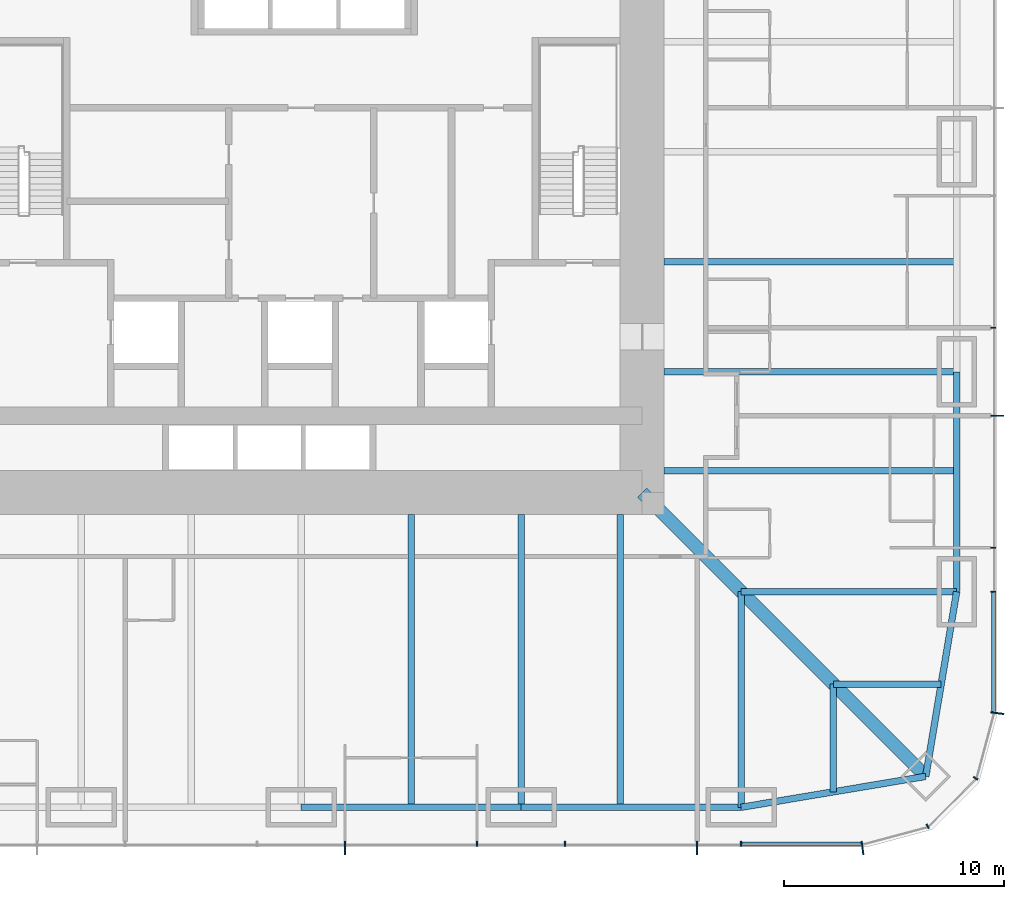
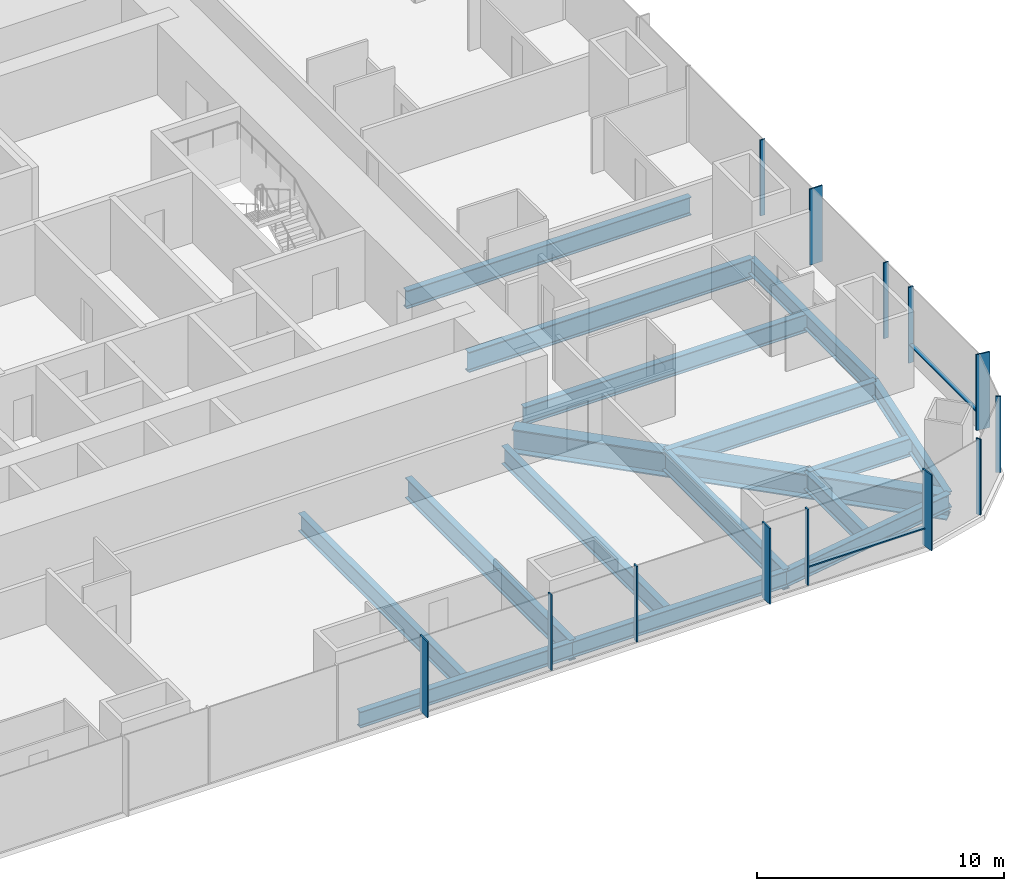
# One storey, part 4 of 17: 16 beams, 15 members, 3 elements without a shape of their own.
"""IFC4 building model written with IfcOpenShell, lengths in metres."""

from ifc_helpers import new_model, si_unit, direction, frame, origin, origin_2d, place, context, subcontext, project, spatial, rectangle, i_section, extrude, material, material_profile, profile_set, type_object, element, aggregate, save


model = new_model("IFC4")

# Units and contexts
model_context = context("Model", 3, precision=1e-05, world=origin(), true_north=direction((0.0, 1.0)))
body_context = subcontext(model_context, "Body", "Model", "MODEL_VIEW")
ifc_project = project(units=[si_unit("LENGTHUNIT", "METRE"), si_unit("AREAUNIT", "SQUARE_METRE"), si_unit("VOLUMEUNIT", "CUBIC_METRE"), si_unit("PLANEANGLEUNIT", "RADIAN"), si_unit("MASSUNIT", "GRAM", prefix="KILO")], contexts=[model_context])

# Site, building, storey
site_placement = place(None, origin())
site = spatial("IfcSite", under=ifc_project, at=site_placement, CompositionType="ELEMENT")
building_placement = place(site_placement, origin())
building = spatial("IfcBuilding", under=site, at=building_placement, Name="Khuree Lantern Residences", CompositionType="ELEMENT")
storey_placement = place(building_placement, frame((0.0, 0.0, 51.0)))
storey = spatial("IfcBuildingStorey", under=building, at=storey_placement, Name="L12", CompositionType="ELEMENT", Elevation=51.0)

# Beams
ifc_material_1 = material(Name="Steel S355", Category="steel")
ifc_material_profile_1 = material_profile(ifc_material_1, i_section(OverallWidth=0.300048828125, OverallDepth=0.889892578125, WebThickness=0.01611328125, FlangeThickness=0.030029296875, FilletRadius=0.030029296875, at=origin_2d()), Name="HE 900 A")
ifc_profile_set_1 = profile_set([ifc_material_profile_1], Name="Steel S355")
beam_type_1 = type_object("IfcBeamType", Name="B-13 SECONDARY BEAM HE 900 A", PredefinedType="BEAM", material=ifc_profile_set_1)
for number, where, z_axis, x_axis, name in (
    (1, (29.800048828125, -5.0, -0.695068359375), (-1.0, 0.0, 0.0), (0.0, -1.0, 0.0), "Secondary beam E4"),
    (2, (29.800048828125, -14.5, -0.695068359375), (-1.0, 0.0, 0.0), (0.0, -1.0, 0.0), "Secondary beam E5"),
):
    element("IfcBeam", number, at=place(storey_placement, frame(where, z_axis=z_axis, x_axis=x_axis)), inside=storey, type_object=beam_type_1, Name=name, PredefinedType="BEAM", context=body_context, shape_type="SweptSolid", body=[
        extrude(i_section(OverallWidth=0.300048828125, OverallDepth=0.889892578125, WebThickness=0.01611328125, FlangeThickness=0.030029296875, FilletRadius=0.030029296875, at=origin_2d()), origin(), (0.0, 0.0, 1.0), 13.300048828125),
    ])
for number, where, z_axis, x_axis, name in (
    (3, (29.09716796875, -24.197021484375, -0.695068359375), (-1.0, 0.0, 0.0), (0.0, -1.0, 0.0), "Secondary beam E6"),
    (4, (24.197021484375, -29.09716796875, -0.695068359375), (0.0, 1.0, 0.0), (-1.0, 0.0, 0.0), "Secondary beam S1"),
):
    element("IfcBeam", number, at=place(storey_placement, frame(where, z_axis=z_axis, x_axis=x_axis)), inside=storey, type_object=beam_type_1, Name=name, PredefinedType="BEAM", context=body_context, shape_type="SweptSolid", body=[
        extrude(i_section(OverallWidth=0.300048828125, OverallDepth=0.889892578125, WebThickness=0.01611328125, FlangeThickness=0.030029296875, FilletRadius=0.030029296875, at=origin_2d()), origin(), (0.0, 0.0, 1.0), 4.900146484375),
    ])
for number, where, z_axis, x_axis, name in (
    (5, (14.5, -29.800048828125, -0.695068359375), (0.0, 1.0, 0.0), (-1.0, 0.0, 0.0), "Secondary beam S2"),
    (6, (5.0, -29.800048828125, -0.695068359375), (0.0, 1.0, 0.0), (-1.0, 0.0, 0.0), "Secondary beam S3"),
):
    element("IfcBeam", number, at=place(storey_placement, frame(where, z_axis=z_axis, x_axis=x_axis)), inside=storey, type_object=beam_type_1, Name=name, PredefinedType="BEAM", context=body_context, shape_type="SweptSolid", body=[
        extrude(i_section(OverallWidth=0.300048828125, OverallDepth=0.889892578125, WebThickness=0.01611328125, FlangeThickness=0.030029296875, FilletRadius=0.030029296875, at=origin_2d()), origin(), (0.0, 0.0, 1.0), 13.300048828125),
    ])
ifc_material_profile_2 = material_profile(ifc_material_1, i_section(OverallWidth=0.300048828125, OverallDepth=0.7900390625, WebThickness=0.014892578125, FlangeThickness=0.028076171875, FilletRadius=0.030029296875, at=origin_2d()), Name="HE 800 A")
ifc_profile_set_2 = profile_set([ifc_material_profile_2], Name="Steel S355")
beam_type_2 = type_object("IfcBeamType", Name="E-13 SPANDREL BEAM HE 800 A", PredefinedType="SPANDREL", material=ifc_profile_set_2)
beam_1_placement = place(storey_placement, frame((29.800048828125, -10.0, -0.64501953125), z_axis=(0.0, -1.0, 0.0), x_axis=(1.0, 0.0, 0.0)))
element("IfcBeam", 7, at=beam_1_placement, inside=storey, type_object=beam_type_2, Name="Spandrel beam E5", PredefinedType="SPANDREL", context=body_context, shape_type="SweptSolid", body=[
    extrude(i_section(OverallWidth=0.300048828125, OverallDepth=0.7900390625, WebThickness=0.014892578125, FlangeThickness=0.028076171875, FilletRadius=0.030029296875, at=origin_2d()), origin(), (0.0, 0.0, 1.0), 10.0),
])
for number, where, z_axis, x_axis, name in (
    (8, (29.800048828125, -20.0, -0.64501953125), (-0.165199022349, -0.986260251158, 0.0), (0.986260251158, -0.165199022349, 0.0), "Spandrel beam E6"),
    (9, (28.39404296875, -28.39404296875, -0.64501953125), (-0.986260251158, -0.165199022349, 0.0), (0.165199022349, -0.986260251158, 0.0), "Spandrel beam S1"),
):
    element("IfcBeam", number, at=place(storey_placement, frame(where, z_axis=z_axis, x_axis=x_axis)), inside=storey, type_object=beam_type_2, Name=name, PredefinedType="SPANDREL", context=body_context, shape_type="SweptSolid", body=[
        extrude(i_section(OverallWidth=0.300048828125, OverallDepth=0.7900390625, WebThickness=0.014892578125, FlangeThickness=0.028076171875, FilletRadius=0.030029296875, at=origin_2d()), origin(), (0.0, 0.0, 1.0), 8.510986328125),
    ])
for number, where, z_axis, x_axis, name in (
    (10, (20.0, -29.800048828125, -0.64501953125), (-1.0, 0.0, 0.0), (0.0, -1.0, 0.0), "Spandrel beam S2"),
    (11, (10.0, -29.800048828125, -0.64501953125), (-1.0, 0.0, 0.0), (0.0, -1.0, 0.0), "Spandrel beam S3"),
):
    element("IfcBeam", number, at=place(storey_placement, frame(where, z_axis=z_axis, x_axis=x_axis)), inside=storey, type_object=beam_type_2, Name=name, PredefinedType="SPANDREL", context=body_context, shape_type="SweptSolid", body=[
        extrude(i_section(OverallWidth=0.300048828125, OverallDepth=0.7900390625, WebThickness=0.014892578125, FlangeThickness=0.028076171875, FilletRadius=0.030029296875, at=origin_2d()), origin(), (0.0, 0.0, 1.0), 10.0),
    ])

# Curtain wall, member
ifc_material_2 = material(Name="Bronze anodised aluminium", Category="aluminium")
curtain_wall_type_1 = type_object("IfcCurtainWallType", Name="CW-T2 TOWER CORNER CURTAIN WALL", PredefinedType="USERDEFINED", material=ifc_material_2)
curtain_wall_1_placement = place(storey_placement, origin())
curtain_wall_1 = element("IfcCurtainWall", 12, at=curtain_wall_1_placement, inside=storey, type_object=curtain_wall_type_1, Name="L12 SOUTH-EAST CORNER CURTAIN WALL", ObjectType="Faceted corner curtain wall", PredefinedType="USERDEFINED")
ifc_material_profile_3 = material_profile(ifc_material_2, rectangle(XDim=0.06494140625, YDim=0.60009765625, at=origin_2d()), Name="F1 65X600")
ifc_profile_set_3 = profile_set([ifc_material_profile_3], Name="Bronze anodised aluminium")
member_type_1 = type_object("IfcMemberType", Name="F1 BRONZE FIN MULLION TOWER 65X600", PredefinedType="MULLION", material=ifc_profile_set_3)
member_1_placement = place(storey_placement, frame((25.519775390625, -31.650146484375, 0.0), z_axis=(0.0, 0.0, 1.0), x_axis=(0.991444852794, 0.130526257387, 0.0)))
member_1 = element("IfcMember", 13, at=member_1_placement, type_object=member_type_1, Name="L12 SOUTH-EAST CORNER FIN MULLION 1", PredefinedType="MULLION", context=body_context, shape_type="SweptSolid", body=[
    extrude(rectangle(XDim=0.06494140625, YDim=0.60009765625, at=origin_2d()), origin(), (0.0, 0.0, 1.0), 3.75),
])

# Curtain wall, members
curtain_wall_type_2 = type_object("IfcCurtainWallType", Name="CW-T1 TOWER FACE CURTAIN WALL", PredefinedType="USERDEFINED", material=ifc_material_2)
curtain_wall_2_placement = place(storey_placement, origin())
curtain_wall_2 = element("IfcCurtainWall", 14, at=curtain_wall_2_placement, inside=storey, type_object=curtain_wall_type_2, Name="L12 EAST FACE CURTAIN WALL", ObjectType="Stick-built curtain wall", PredefinedType="USERDEFINED")
member_2_placement = place(storey_placement, frame((31.650146484375, -25.519775390625, 0.0), z_axis=(0.0, 0.0, 1.0), x_axis=(0.130526257387, 0.991444852794, 0.0)))
member_2 = element("IfcMember", 15, at=member_2_placement, type_object=member_type_1, Name="L12 EAST FACE FIN MULLION 4", PredefinedType="MULLION", context=body_context, shape_type="SweptSolid", body=[
    extrude(rectangle(XDim=0.06494140625, YDim=0.60009765625, at=origin_2d()), origin(), (0.0, 0.0, 1.0), 3.75),
])
member_3_placement = place(storey_placement, frame((31.64990234375, -12.0, 0.0), z_axis=(0.0, 0.0, 1.0), x_axis=(0.0, 1.0, 0.0)))
member_3 = element("IfcMember", 16, at=member_3_placement, type_object=member_type_1, Name="L12 EAST FACE FIN MULLION 7", PredefinedType="MULLION", context=body_context, shape_type="SweptSolid", body=[
    extrude(rectangle(XDim=0.06494140625, YDim=0.60009765625, at=origin_2d()), origin(), (0.0, 0.0, 1.0), 3.75),
])

curtain_wall_3_placement = place(storey_placement, origin())
curtain_wall_3 = element("IfcCurtainWall", 17, at=curtain_wall_3_placement, inside=storey, type_object=curtain_wall_type_2, Name="L12 SOUTH FACE CURTAIN WALL", ObjectType="Stick-built curtain wall", PredefinedType="USERDEFINED")
member_4_placement = place(storey_placement, frame((2.0, -31.64990234375, 0.0), z_axis=(0.0, 0.0, 1.0), x_axis=(1.0, 0.0, 0.0)))
member_4 = element("IfcMember", 18, at=member_4_placement, type_object=member_type_1, Name="L12 SOUTH FACE FIN MULLION 52", PredefinedType="MULLION", context=body_context, shape_type="SweptSolid", body=[
    extrude(rectangle(XDim=0.06494140625, YDim=0.60009765625, at=origin_2d()), origin(), (0.0, 0.0, 1.0), 3.75),
])
member_5_placement = place(storey_placement, frame((18.0, -31.64990234375, 0.0), z_axis=(0.0, 0.0, 1.0), x_axis=(1.0, 0.0, 0.0)))
member_5 = element("IfcMember", 19, at=member_5_placement, type_object=member_type_1, Name="L12 SOUTH FACE FIN MULLION 55", PredefinedType="MULLION", context=body_context, shape_type="SweptSolid", body=[
    extrude(rectangle(XDim=0.06494140625, YDim=0.60009765625, at=origin_2d()), origin(), (0.0, 0.0, 1.0), 3.75),
])

# Beams
ifc_material_profile_4 = material_profile(ifc_material_1, i_section(OverallWidth=0.302001953125, OverallDepth=1.008056640625, WebThickness=0.02099609375, FlangeThickness=0.0400390625, FilletRadius=0.030029296875, at=origin_2d()), Name="HE 1000 M")
ifc_profile_set_4 = profile_set([ifc_material_profile_4], Name="Steel S355")
beam_type_3 = type_object("IfcBeamType", Name="G-13 GIRDER HE 1000 M", PredefinedType="BEAM", material=ifc_profile_set_4)
beam_2_placement = place(storey_placement, frame((29.800048828125, -10.0, -0.75390625), z_axis=(-1.0, 0.0, 0.0), x_axis=(0.0, -1.0, 0.0)))
element("IfcBeam", 20, at=beam_2_placement, inside=storey, type_object=beam_type_3, Name="Girder E4", PredefinedType="BEAM", context=body_context, shape_type="SweptSolid", body=[
    extrude(i_section(OverallWidth=0.302001953125, OverallDepth=1.008056640625, WebThickness=0.02099609375, FlangeThickness=0.0400390625, FilletRadius=0.030029296875, at=origin_2d()), origin(), (0.0, 0.0, 1.0), 13.300048828125),
])
for number, where, z_axis, x_axis, name in (
    (21, (29.800048828125, -20.0, -0.75390625), (-1.0, 0.0, 0.0), (0.0, -1.0, 0.0), "Girder E5"),
    (22, (20.0, -29.800048828125, -0.75390625), (0.0, 1.0, 0.0), (-1.0, 0.0, 0.0), "Girder S1"),
):
    element("IfcBeam", number, at=place(storey_placement, frame(where, z_axis=z_axis, x_axis=x_axis)), inside=storey, type_object=beam_type_3, Name=name, PredefinedType="BEAM", context=body_context, shape_type="SweptSolid", body=[
        extrude(i_section(OverallWidth=0.302001953125, OverallDepth=1.008056640625, WebThickness=0.02099609375, FlangeThickness=0.0400390625, FilletRadius=0.030029296875, at=origin_2d()), origin(), (0.0, 0.0, 1.0), 9.800048828125),
    ])
beam_3_placement = place(storey_placement, frame((10.0, -29.800048828125, -0.75390625), z_axis=(0.0, 1.0, 0.0), x_axis=(-1.0, 0.0, 0.0)))
element("IfcBeam", 23, at=beam_3_placement, inside=storey, type_object=beam_type_3, Name="Girder S2", PredefinedType="BEAM", context=body_context, shape_type="SweptSolid", body=[
    extrude(i_section(OverallWidth=0.302001953125, OverallDepth=1.008056640625, WebThickness=0.02099609375, FlangeThickness=0.0400390625, FilletRadius=0.030029296875, at=origin_2d()), origin(), (0.0, 0.0, 1.0), 13.300048828125),
])
ifc_material_profile_5 = material_profile(ifc_material_1, i_section(OverallWidth=0.60009765625, OverallDepth=1.199951171875, WebThickness=0.030029296875, FlangeThickness=0.06005859375, at=origin_2d()), Name="WELDED I 1200X600X30X60")
ifc_profile_set_5 = profile_set([ifc_material_profile_5], Name="Steel S355")
beam_type_4 = type_object("IfcBeamType", Name="GD-13 CORNER GIRDER WELDED I 1200X600X30X60", PredefinedType="BEAM", material=ifc_profile_set_5)
beam_4_placement = place(storey_placement, frame((28.39404296875, -28.39404296875, -0.85009765625), z_axis=(-0.707106781187, 0.707106781187, 0.0), x_axis=(-0.707106781187, -0.707106781187, 0.0)))
element("IfcBeam", 24, at=beam_4_placement, inside=storey, type_object=beam_type_4, Name="Corner girder SE", PredefinedType="BEAM", context=body_context, shape_type="SweptSolid", body=[
    extrude(i_section(OverallWidth=0.60009765625, OverallDepth=1.199951171875, WebThickness=0.030029296875, FlangeThickness=0.06005859375, at=origin_2d()), origin(), (0.0, 0.0, 1.0), 18.23486328125),
])

# Member
ifc_material_profile_6 = material_profile(ifc_material_2, rectangle(XDim=0.06494140625, YDim=0.219970703125, at=origin_2d()), Name="M1 65X220")
ifc_profile_set_6 = profile_set([ifc_material_profile_6], Name="Bronze anodised aluminium")
member_type_2 = type_object("IfcMemberType", Name="M1 BRONZE MULLION TOWER 65X220", PredefinedType="MULLION", material=ifc_profile_set_6)
member_6_placement = place(storey_placement, frame((28.47998046875, -30.66162109375, 0.0), z_axis=(0.0, 0.0, 1.0), x_axis=(0.86602537092, 0.500000056923, 0.0)))
member_6 = element("IfcMember", 25, at=member_6_placement, type_object=member_type_2, Name="L12 SOUTH-EAST CORNER MULLION 2", PredefinedType="MULLION", context=body_context, shape_type="SweptSolid", body=[
    extrude(rectangle(XDim=0.06494140625, YDim=0.219970703125, at=origin_2d()), origin(), (0.0, 0.0, 1.0), 3.75),
])

member_7_placement = place(storey_placement, frame((30.66162109375, -28.47998046875, 0.0), z_axis=(0.0, 0.0, 1.0), x_axis=(0.500000056923, 0.86602537092, 0.0)))
member_7 = element("IfcMember", 26, at=member_7_placement, type_object=member_type_2, Name="L12 SOUTH-EAST CORNER MULLION 3", PredefinedType="MULLION", context=body_context, shape_type="SweptSolid", body=[
    extrude(rectangle(XDim=0.06494140625, YDim=0.219970703125, at=origin_2d()), origin(), (0.0, 0.0, 1.0), 3.75),
])

aggregate(curtain_wall_1, [member_1, member_6, member_7])

member_8_placement = place(storey_placement, frame((31.4599609375, -20.0, 0.0), z_axis=(0.0, 0.0, 1.0), x_axis=(0.0, 1.0, 0.0)))
member_8 = element("IfcMember", 27, at=member_8_placement, type_object=member_type_2, Name="L12 EAST FACE MULLION 5", PredefinedType="MULLION", context=body_context, shape_type="SweptSolid", body=[
    extrude(rectangle(XDim=0.06494140625, YDim=0.219970703125, at=origin_2d()), origin(), (0.0, 0.0, 1.0), 3.75),
])

member_9_placement = place(storey_placement, frame((31.4599609375, -18.0, 0.0), z_axis=(0.0, 0.0, 1.0), x_axis=(0.0, 1.0, 0.0)))
member_9 = element("IfcMember", 28, at=member_9_placement, type_object=member_type_2, Name="L12 EAST FACE MULLION 6", PredefinedType="MULLION", context=body_context, shape_type="SweptSolid", body=[
    extrude(rectangle(XDim=0.06494140625, YDim=0.219970703125, at=origin_2d()), origin(), (0.0, 0.0, 1.0), 3.75),
])

member_10_placement = place(storey_placement, frame((31.4599609375, -8.0, 0.0), z_axis=(0.0, 0.0, 1.0), x_axis=(0.0, 1.0, 0.0)))
member_10 = element("IfcMember", 29, at=member_10_placement, type_object=member_type_2, Name="L12 EAST FACE MULLION 8", PredefinedType="MULLION", context=body_context, shape_type="SweptSolid", body=[
    extrude(rectangle(XDim=0.06494140625, YDim=0.219970703125, at=origin_2d()), origin(), (0.0, 0.0, 1.0), 3.75),
])

member_11_placement = place(storey_placement, frame((8.0, -31.4599609375, 0.0), z_axis=(0.0, 0.0, 1.0), x_axis=(1.0, 0.0, 0.0)))
member_11 = element("IfcMember", 30, at=member_11_placement, type_object=member_type_2, Name="L12 SOUTH FACE MULLION 53", PredefinedType="MULLION", context=body_context, shape_type="SweptSolid", body=[
    extrude(rectangle(XDim=0.06494140625, YDim=0.219970703125, at=origin_2d()), origin(), (0.0, 0.0, 1.0), 3.75),
])

member_12_placement = place(storey_placement, frame((12.0, -31.4599609375, 0.0), z_axis=(0.0, 0.0, 1.0), x_axis=(1.0, 0.0, 0.0)))
member_12 = element("IfcMember", 31, at=member_12_placement, type_object=member_type_2, Name="L12 SOUTH FACE MULLION 54", PredefinedType="MULLION", context=body_context, shape_type="SweptSolid", body=[
    extrude(rectangle(XDim=0.06494140625, YDim=0.219970703125, at=origin_2d()), origin(), (0.0, 0.0, 1.0), 3.75),
])

member_13_placement = place(storey_placement, frame((20.0, -31.4599609375, 0.0), z_axis=(0.0, 0.0, 1.0), x_axis=(1.0, 0.0, 0.0)))
member_13 = element("IfcMember", 32, at=member_13_placement, type_object=member_type_2, Name="L12 SOUTH FACE MULLION 56", PredefinedType="MULLION", context=body_context, shape_type="SweptSolid", body=[
    extrude(rectangle(XDim=0.06494140625, YDim=0.219970703125, at=origin_2d()), origin(), (0.0, 0.0, 1.0), 3.75),
])

ifc_material_profile_7 = material_profile(ifc_material_2, rectangle(XDim=0.179931640625, YDim=0.06494140625, at=origin_2d()), Name="T1 180X65")
ifc_profile_set_7 = profile_set([ifc_material_profile_7], Name="Bronze anodised aluminium")
member_type_3 = type_object("IfcMemberType", Name="TRANSOM T1 TOWER 180X65", PredefinedType="USERDEFINED", material=ifc_profile_set_7)
member_14_placement = place(storey_placement, frame((31.469970703125, -25.451416015625, 0.89990234375), z_axis=(0.0, 1.0, 0.0), x_axis=(-1.0, 0.0, 0.0)))
member_14 = element("IfcMember", 33, at=member_14_placement, type_object=member_type_3, Name="L12 EAST FACE TRANSOM 4.1", ObjectType="Transom", PredefinedType="USERDEFINED", context=body_context, shape_type="SweptSolid", body=[
    extrude(rectangle(XDim=0.179931640625, YDim=0.06494140625, at=origin_2d()), origin(), (0.0, 0.0, 1.0), 5.4189453125),
])

aggregate(curtain_wall_2, [member_2, member_8, member_9, member_3, member_10, member_14])

member_15_placement = place(storey_placement, frame((20.032470703125, -31.469970703125, 0.89990234375), z_axis=(1.0, 0.0, 0.0), x_axis=(0.0, 1.0, 0.0)))
member_15 = element("IfcMember", 34, at=member_15_placement, type_object=member_type_3, Name="L12 SOUTH FACE TRANSOM 56.1", ObjectType="Transom", PredefinedType="USERDEFINED", context=body_context, shape_type="SweptSolid", body=[
    extrude(rectangle(XDim=0.179931640625, YDim=0.06494140625, at=origin_2d()), origin(), (0.0, 0.0, 1.0), 5.4189453125),
])

aggregate(curtain_wall_3, [member_4, member_11, member_12, member_5, member_13, member_15])

save(model, "model.ifc")
